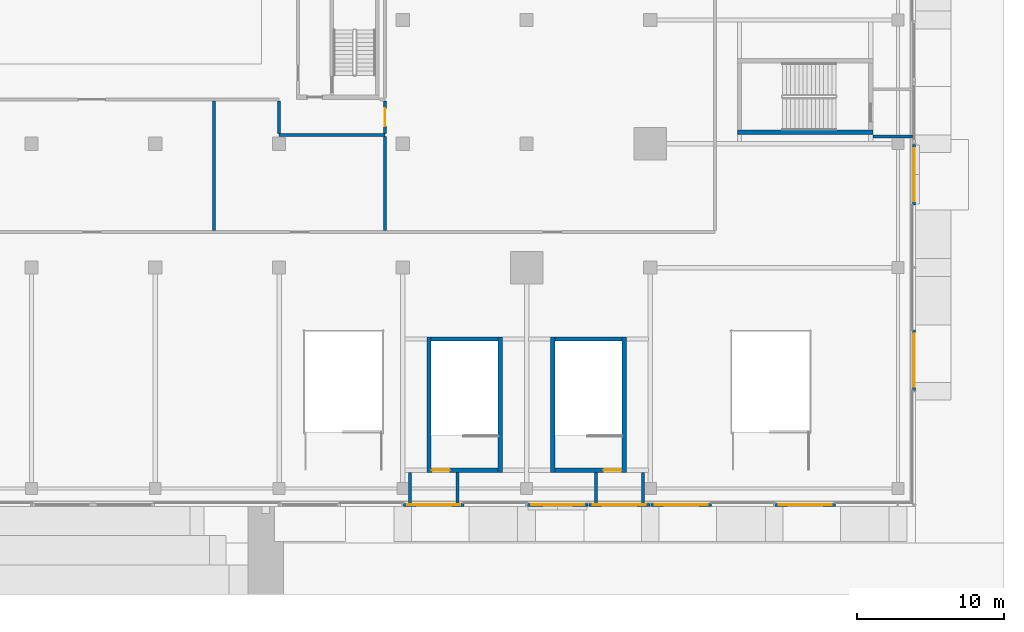
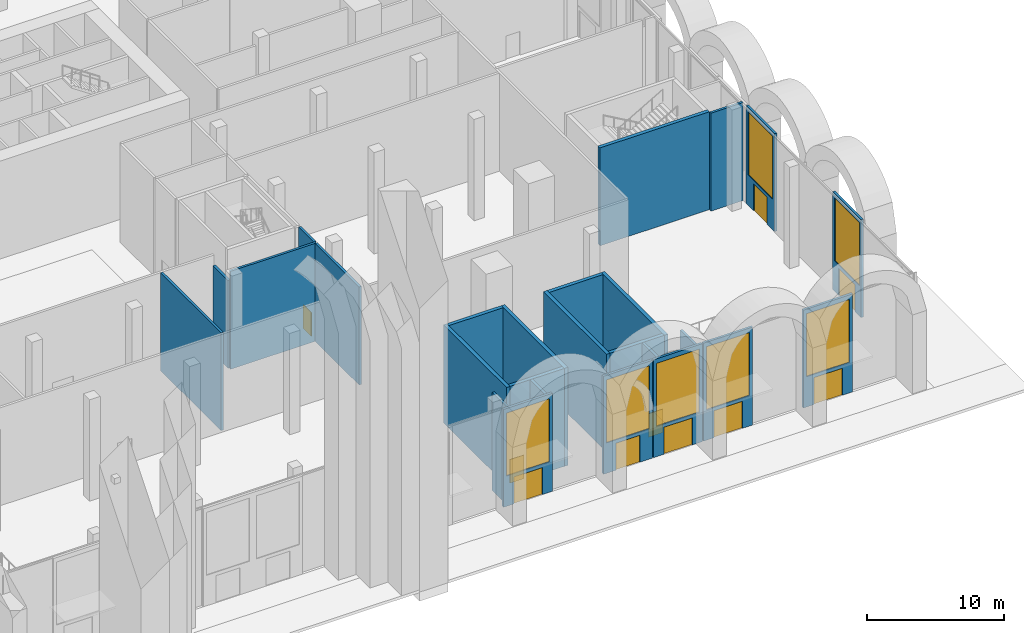
# One storey, part 24 of 43: 26 walls, 10 doors, 7 windows, 17 openings.
"""IFC4 building model written with IfcOpenShell, lengths in metres."""

from ifc_helpers import new_model, si_unit, direction, frame, frame_2d, origin, place, context, subcontext, project, spatial, rectangle, extrude, material, layer, layer_set, type_object, element, fill, save


model = new_model("IFC4")

# Units and contexts
model_context = context("Model", 3, precision=1e-05, world=origin(), true_north=direction((0.0, 1.0)))
body_context = subcontext(model_context, "Body", "Model", "MODEL_VIEW")
ifc_project = project(units=[si_unit("LENGTHUNIT", "METRE"), si_unit("AREAUNIT", "SQUARE_METRE"), si_unit("VOLUMEUNIT", "CUBIC_METRE"), si_unit("PLANEANGLEUNIT", "RADIAN"), si_unit("MASSUNIT", "GRAM", prefix="KILO")], contexts=[model_context])

# Site, building, storey
site_placement = place(None, origin())
site = spatial("IfcSite", under=ifc_project, at=site_placement, CompositionType="ELEMENT")
building_placement = place(site_placement, origin())
building = spatial("IfcBuilding", under=site, at=building_placement, Name="Saffron Gate Tower", CompositionType="ELEMENT")
storey_placement = place(building_placement, origin())
storey = spatial("IfcBuildingStorey", under=building, at=storey_placement, Name="L00", CompositionType="ELEMENT", Elevation=0.0)

# Walls
ifc_material_1 = material(Name="Gypsum board partition on steel studs", Category="steel")
ifc_layer_1 = layer(ifc_material_1, 0.199951171875)
ifc_layer_set_1 = layer_set([ifc_layer_1], Name="CW10 Core partition 200")
wall_type_1 = type_object("IfcWallType", Name="CW10 Core partition 200", PredefinedType="PARTITIONING", material=ifc_layer_set_1)
wall_1_placement = place(storey_placement, frame((140.5, 40.699951171875, 0.0), z_axis=(0.0, 0.0, 1.0), x_axis=(1.0, 0.0, 0.0)))
element("IfcWall", 1, at=wall_1_placement, inside=storey, type_object=wall_type_1, Name="Wall CW10-L00-XS-KA", PredefinedType="PARTITIONING", context=body_context, shape_type="SweptSolid", body=[
    extrude(rectangle(XDim=2.699951171875, YDim=0.199951171875, at=frame_2d((1.35009765625, 0.0))), origin(), (0.0, 0.0, 1.0), 8.699951171875),
])
for number, where, z_axis, x_axis, name in (
    (2, (121.699951171875, 15.800048828125, 0.0), (0.0, 0.0, 1.0), (0.0, 1.0, 0.0), "Wall CW10-L00-XS-MA"),
    (3, (124.89990234375, 15.800048828125, 0.0), (0.0, 0.0, 1.0), (0.0, 1.0, 0.0), "Wall CW10-L00-XS-MB"),
    (4, (109.10009765625, 15.800048828125, 0.0), (0.0, 0.0, 1.0), (0.0, 1.0, 0.0), "Wall CW10-L00-XS-NA"),
    (5, (112.300048828125, 15.800048828125, 0.0), (0.0, 0.0, 1.0), (0.0, 1.0, 0.0), "Wall CW10-L00-XS-NB"),
):
    element("IfcWall", number, at=place(storey_placement, frame(where, z_axis=z_axis, x_axis=x_axis)), inside=storey, type_object=wall_type_1, Name=name, PredefinedType="PARTITIONING", context=body_context, shape_type="SweptSolid", body=[
        extrude(rectangle(XDim=2.099853515625, YDim=0.199951171875, at=frame_2d((1.0498046875, 0.0))), origin(), (0.0, 0.0, 1.0), 8.699951171875),
    ])
ifc_material_2 = material(Name="Concrete C70", Category="concrete")
ifc_layer_2 = layer(ifc_material_2, 0.300048828125)
ifc_layer_set_2 = layer_set([ifc_layer_2], Name="CW5 RC core wall 300 C70")
wall_type_2 = type_object("IfcWallType", Name="CW5 RC core wall 300 C70", PredefinedType="SOLIDWALL", material=ifc_layer_set_2)
wall_2_placement = place(storey_placement, frame((131.300048828125, 40.97509765625, 0.0), z_axis=(0.0, 0.0, 1.0), x_axis=(1.0, 0.0, 0.0)))
element("IfcWall", 6, at=wall_2_placement, inside=storey, type_object=wall_type_2, Name="Wall CW5-L00-K-1", PredefinedType="SOLIDWALL", context=body_context, shape_type="SweptSolid", body=[
    extrude(rectangle(XDim=9.199951171875, YDim=0.300048828125, at=frame_2d((4.60009765625, 0.0))), origin(), (0.0, 0.0, 1.0), 8.699951171875),
])
wall_3_placement = place(storey_placement, frame((118.77490234375, 17.89990234375, 0.0), z_axis=(0.0, 0.0, 1.0), x_axis=(0.0, 1.0, 0.0)))
element("IfcWall", 7, at=wall_3_placement, inside=storey, type_object=wall_type_2, Name="Wall CW5-L00-M-1", PredefinedType="SOLIDWALL", context=body_context, shape_type="SweptSolid", body=[
    extrude(rectangle(XDim=9.2001953125, YDim=0.300048828125, at=frame_2d((4.60009765625, 0.0))), origin(), (0.0, 0.0, 1.0), 8.699951171875),
])

# Wall, opening, door
wall_4_placement = place(storey_placement, frame((118.925048828125, 18.050048828125, 0.0), z_axis=(0.0, 0.0, 1.0), x_axis=(1.0, 0.0, 0.0)))
wall_4 = element("IfcWall", 8, at=wall_4_placement, inside=storey, type_object=wall_type_2, Name="Wall CW5-L00-M-2", PredefinedType="SOLIDWALL", context=body_context, shape_type="SweptSolid", body=[
    extrude(rectangle(XDim=4.550048828125, YDim=0.300048828125, at=frame_2d((2.27490234375, 0.0))), origin(), (0.0, 0.0, 1.0), 8.699951171875),
])
opening_1_placement = place(wall_4_placement, frame((3.300048828125, 0.0, 0.0)))
opening_1 = element("IfcOpeningElement", 9, at=opening_1_placement, cuts=wall_4, Name="Opening CR-45", PredefinedType="OPENING", context=body_context, shape_type="SweptSolid", body=[
    extrude(rectangle(XDim=1.199951171875, YDim=2.10009765625, at=frame_2d((0.60009765625, 1.050048828125))), frame((0.0, 0.16015625, 0.0), z_axis=(0.0, -1.0, 0.0), x_axis=(1.0, 0.0, 0.0)), (0.0, 0.0, 1.0), 0.320068359375),
])
ifc_material_3 = material(Name="Steel fire door set", Category="steel")
door_type_1 = type_object("IfcDoorType", Name="CD12 Stair door 1200x2100 EI 120", OperationType="NOTDEFINED", PredefinedType="DOOR", material=ifc_material_3)
door_1_placement = place(opening_1_placement, origin())
door_1 = element("IfcDoor", 10, at=door_1_placement, inside=storey, type_object=door_type_1, Name="DOOR CR-45", OperationType="SINGLE_SWING_RIGHT", OverallHeight=2.10009765625, OverallWidth=1.199951171875, PredefinedType="DOOR", context=body_context, shape_type="SweptSolid", body=[
    extrude(rectangle(XDim=1.199951171875, YDim=2.10009765625, at=frame_2d((0.60009765625, 1.050048828125))), frame((0.0, 0.02490234375, 0.0), z_axis=(0.0, -1.0, 0.0), x_axis=(1.0, 0.0, 0.0)), (0.0, 0.0, 1.0), 0.050048828125),
])
fill(opening_1, door_1)

# Walls
wall_5_placement = place(storey_placement, frame((123.625, 17.89990234375, 0.0), z_axis=(0.0, 0.0, 1.0), x_axis=(0.0, 1.0, 0.0)))
element("IfcWall", 11, at=wall_5_placement, inside=storey, type_object=wall_type_2, Name="Wall CW5-L00-M-3", PredefinedType="SOLIDWALL", context=body_context, shape_type="SweptSolid", body=[
    extrude(rectangle(XDim=9.2001953125, YDim=0.300048828125, at=frame_2d((4.60009765625, 0.0))), origin(), (0.0, 0.0, 1.0), 8.699951171875),
])
wall_6_placement = place(storey_placement, frame((118.925048828125, 26.949951171875, 0.0), z_axis=(0.0, 0.0, 1.0), x_axis=(1.0, 0.0, 0.0)))
element("IfcWall", 12, at=wall_6_placement, inside=storey, type_object=wall_type_2, Name="Wall CW5-L00-M-4", PredefinedType="SOLIDWALL", context=body_context, shape_type="SweptSolid", body=[
    extrude(rectangle(XDim=4.550048828125, YDim=0.300048828125, at=frame_2d((2.27490234375, 0.0))), origin(), (0.0, 0.0, 1.0), 8.699951171875),
])
wall_7_placement = place(storey_placement, frame((110.375, 17.89990234375, 0.0), z_axis=(0.0, 0.0, 1.0), x_axis=(0.0, 1.0, 0.0)))
element("IfcWall", 13, at=wall_7_placement, inside=storey, type_object=wall_type_2, Name="Wall CW5-L00-N-1", PredefinedType="SOLIDWALL", context=body_context, shape_type="SweptSolid", body=[
    extrude(rectangle(XDim=9.2001953125, YDim=0.300048828125, at=frame_2d((4.60009765625, 0.0))), origin(), (0.0, 0.0, 1.0), 8.699951171875),
])

# Wall, opening, door
wall_8_placement = place(storey_placement, frame((110.52490234375, 18.050048828125, 0.0), z_axis=(0.0, 0.0, 1.0), x_axis=(1.0, 0.0, 0.0)))
wall_8 = element("IfcWall", 14, at=wall_8_placement, inside=storey, type_object=wall_type_2, Name="Wall CW5-L00-N-2", PredefinedType="SOLIDWALL", context=body_context, shape_type="SweptSolid", body=[
    extrude(rectangle(XDim=4.550048828125, YDim=0.300048828125, at=frame_2d((2.27490234375, 0.0))), origin(), (0.0, 0.0, 1.0), 8.699951171875),
])
opening_2_placement = place(wall_8_placement, frame((0.050048828125, 0.0, 0.0)))
opening_2 = element("IfcOpeningElement", 15, at=opening_2_placement, cuts=wall_8, Name="Opening CR-47", PredefinedType="OPENING", context=body_context, shape_type="SweptSolid", body=[
    extrude(rectangle(XDim=1.199951171875, YDim=2.10009765625, at=frame_2d((0.60009765625, 1.050048828125))), frame((0.0, 0.16015625, 0.0), z_axis=(0.0, -1.0, 0.0), x_axis=(1.0, 0.0, 0.0)), (0.0, 0.0, 1.0), 0.320068359375),
])
door_2_placement = place(opening_2_placement, origin())
door_2 = element("IfcDoor", 16, at=door_2_placement, inside=storey, type_object=door_type_1, Name="DOOR CR-47", OperationType="SINGLE_SWING_RIGHT", OverallHeight=2.10009765625, OverallWidth=1.199951171875, PredefinedType="DOOR", context=body_context, shape_type="SweptSolid", body=[
    extrude(rectangle(XDim=1.199951171875, YDim=2.10009765625, at=frame_2d((0.60009765625, 1.050048828125))), frame((0.0, 0.02490234375, 0.0), z_axis=(0.0, -1.0, 0.0), x_axis=(1.0, 0.0, 0.0)), (0.0, 0.0, 1.0), 0.050048828125),
])
fill(opening_2, door_2)

# Walls
wall_9_placement = place(storey_placement, frame((115.22509765625, 17.89990234375, 0.0), z_axis=(0.0, 0.0, 1.0), x_axis=(0.0, 1.0, 0.0)))
element("IfcWall", 17, at=wall_9_placement, inside=storey, type_object=wall_type_2, Name="Wall CW5-L00-N-3", PredefinedType="SOLIDWALL", context=body_context, shape_type="SweptSolid", body=[
    extrude(rectangle(XDim=9.2001953125, YDim=0.300048828125, at=frame_2d((4.60009765625, 0.0))), origin(), (0.0, 0.0, 1.0), 8.699951171875),
])
wall_10_placement = place(storey_placement, frame((110.52490234375, 26.949951171875, 0.0), z_axis=(0.0, 0.0, 1.0), x_axis=(1.0, 0.0, 0.0)))
element("IfcWall", 18, at=wall_10_placement, inside=storey, type_object=wall_type_2, Name="Wall CW5-L00-N-4", PredefinedType="SOLIDWALL", context=body_context, shape_type="SweptSolid", body=[
    extrude(rectangle(XDim=4.550048828125, YDim=0.300048828125, at=frame_2d((2.27490234375, 0.0))), origin(), (0.0, 0.0, 1.0), 8.699951171875),
])
ifc_material_4 = material(Name="Clay brick masonry, rendered", Category="masonry")
ifc_layer_3 = layer(ifc_material_4, 0.199951171875)
ifc_layer_set_3 = layer_set([ifc_layer_3], Name="PW3 Corridor wall 200")
wall_type_3 = type_object("IfcWallType", Name="PW3 Corridor wall 200", PredefinedType="PARTITIONING", material=ifc_layer_set_3)
wall_11_placement = place(storey_placement, frame((100.199951171875, 40.800048828125, 0.0), z_axis=(0.0, 0.0, 1.0), x_axis=(1.0, 0.0, 0.0)))
element("IfcWall", 19, at=wall_11_placement, inside=storey, type_object=wall_type_3, Name="Wall P0-3", PredefinedType="PARTITIONING", context=body_context, shape_type="SweptSolid", body=[
    extrude(rectangle(XDim=7.199951171875, YDim=0.199951171875, at=frame_2d((3.60009765625, 0.0))), origin(), (0.0, 0.0, 1.0), 8.699951171875),
])
wall_12_placement = place(storey_placement, frame((100.199951171875, 43.10009765625, 0.0), z_axis=(0.0, 0.0, 1.0), x_axis=(0.0, -1.0, 0.0)))
element("IfcWall", 20, at=wall_12_placement, inside=storey, type_object=wall_type_3, Name="Wall P0-45", PredefinedType="PARTITIONING", context=body_context, shape_type="SweptSolid", body=[
    extrude(rectangle(XDim=2.2001953125, YDim=0.199951171875, at=frame_2d((1.10009765625, 0.0))), origin(), (0.0, 0.0, 1.0), 7.800048828125),
])

# Wall, opening, door
wall_13_placement = place(storey_placement, frame((107.39990234375, 43.10009765625, 0.0), z_axis=(0.0, 0.0, 1.0), x_axis=(0.0, -1.0, 0.0)))
wall_13 = element("IfcWall", 21, at=wall_13_placement, inside=storey, type_object=wall_type_3, Name="Wall P0-48", PredefinedType="PARTITIONING", context=body_context, shape_type="SweptSolid", body=[
    extrude(rectangle(XDim=2.2001953125, YDim=0.199951171875, at=frame_2d((1.10009765625, 0.0))), origin(), (0.0, 0.0, 1.0), 8.699951171875),
])
opening_3_placement = place(wall_13_placement, frame((0.5, 0.0, 0.0)))
opening_3 = element("IfcOpeningElement", 22, at=opening_3_placement, cuts=wall_13, Name="Opening XL-E", PredefinedType="OPENING", context=body_context, shape_type="SweptSolid", body=[
    extrude(rectangle(XDim=1.199951171875, YDim=2.10009765625, at=frame_2d((0.60009765625, 1.050048828125))), frame((0.0, 0.10986328125, 0.0), z_axis=(0.0, -1.0, 0.0), x_axis=(1.0, 0.0, 0.0)), (0.0, 0.0, 1.0), 0.219970703125),
])
door_type_2 = type_object("IfcDoorType", Name="CD3 Lobby door 1200x2100 EI 120", OperationType="NOTDEFINED", PredefinedType="DOOR", material=ifc_material_3)
door_3_placement = place(opening_3_placement, origin())
door_3 = element("IfcDoor", 23, at=door_3_placement, inside=storey, type_object=door_type_2, Name="DOOR XL-E", OperationType="SINGLE_SWING_RIGHT", OverallHeight=2.10009765625, OverallWidth=1.199951171875, PredefinedType="DOOR", context=body_context, shape_type="SweptSolid", body=[
    extrude(rectangle(XDim=1.199951171875, YDim=2.10009765625, at=frame_2d((0.60009765625, 1.050048828125))), frame((0.0, 0.02490234375, 0.0), z_axis=(0.0, -1.0, 0.0), x_axis=(1.0, 0.0, 0.0)), (0.0, 0.0, 1.0), 0.050048828125),
])
fill(opening_3, door_3)

# Walls
ifc_layer_4 = layer(ifc_material_4, 0.199951171875)
ifc_layer_set_4 = layer_set([ifc_layer_4], Name="PW5 Room wall 200")
wall_type_4 = type_object("IfcWallType", Name="PW5 Room wall 200", PredefinedType="PARTITIONING", material=ifc_layer_set_4)
wall_14_placement = place(storey_placement, frame((95.800048828125, 43.10009765625, 0.0), z_axis=(0.0, 0.0, 1.0), x_axis=(0.0, -1.0, 0.0)))
element("IfcWall", 24, at=wall_14_placement, inside=storey, type_object=wall_type_4, Name="Wall P0-44", PredefinedType="PARTITIONING", context=body_context, shape_type="SweptSolid", body=[
    extrude(rectangle(XDim=8.800048828125, YDim=0.199951171875, at=frame_2d((4.39990234375, 0.0))), origin(), (0.0, 0.0, 1.0), 8.699951171875),
])
wall_15_placement = place(storey_placement, frame((107.39990234375, 40.699951171875, 0.0), z_axis=(0.0, 0.0, 1.0), x_axis=(0.0, -1.0, 0.0)))
element("IfcWall", 25, at=wall_15_placement, inside=storey, type_object=wall_type_4, Name="Wall P0-51", PredefinedType="PARTITIONING", context=body_context, shape_type="SweptSolid", body=[
    extrude(rectangle(XDim=6.39990234375, YDim=0.199951171875, at=frame_2d((3.199951171875, 0.0))), origin(), (0.0, 0.0, 1.0), 8.699951171875),
])

# Wall, openings, door, window
ifc_material_5 = material(Name="Reinforced concrete C40/50 clad in bronze panels", Category="concrete")
ifc_layer_5 = layer(ifc_material_5, 0.199951171875)
ifc_layer_set_5 = layer_set([ifc_layer_5], Name="WBAY1 entrance bay wall")
wall_type_5 = type_object("IfcWallType", Name="WBAY1 entrance bay wall", PredefinedType="SOLIDWALL", material=ifc_layer_set_5)
wall_16_placement = place(storey_placement, frame((121.159912109375, 15.699951171875, 0.0), z_axis=(0.0, 0.0, 1.0), x_axis=(-1.0, 0.0, 0.0)))
wall_16 = element("IfcWall", 26, at=wall_16_placement, inside=storey, type_object=wall_type_5, Name="ENTRANCE BAY wall", PredefinedType="SOLIDWALL", context=body_context, shape_type="SweptSolid", body=[
    extrude(rectangle(XDim=4.119873046875, YDim=0.199951171875, at=frame_2d((2.06005859375, 0.0))), origin(), (0.0, 0.0, 1.0), 8.699951171875),
])
opening_4_placement = place(wall_16_placement, frame((1.06005859375, 0.0, 0.0)))
opening_4 = element("IfcOpeningElement", 27, at=opening_4_placement, cuts=wall_16, Name="Opening E03", PredefinedType="OPENING", context=body_context, shape_type="SweptSolid", body=[
    extrude(rectangle(XDim=2.0, YDim=2.39990234375, at=frame_2d((1.0, 1.199951171875))), frame((0.0, 0.10986328125, 0.0), z_axis=(0.0, -1.0, 0.0), x_axis=(1.0, 0.0, 0.0)), (0.0, 0.0, 1.0), 0.219970703125),
])
opening_5_placement = place(wall_16_placement, frame((0.260009765625, 0.0, 2.699951171875)))
opening_5 = element("IfcOpeningElement", 28, at=opening_5_placement, cuts=wall_16, Name="Opening W9", PredefinedType="OPENING", context=body_context, shape_type="SweptSolid", body=[
    extrude(rectangle(XDim=3.60009765625, YDim=5.60009765625, at=frame_2d((1.800048828125, 2.800048828125))), frame((0.0, 0.10986328125, 0.0), z_axis=(0.0, -1.0, 0.0), x_axis=(1.0, 0.0, 0.0)), (0.0, 0.0, 1.0), 0.219970703125),
])
ifc_material_6 = material(Name="Bronze-framed toughened glass", Category="glass")
ifc_layer_6 = layer(ifc_material_6, 0.050048828125)
ifc_layer_set_6 = layer_set([ifc_layer_6], Name="D1 external double door 2000x2400")
door_type_3 = type_object("IfcDoorType", Name="D1 external double door 2000x2400", OperationType="DOUBLE_DOOR_SINGLE_SWING", PredefinedType="DOOR", material=ifc_layer_set_6)
door_4_placement = place(opening_4_placement, origin())
door_4 = element("IfcDoor", 29, at=door_4_placement, inside=storey, type_object=door_type_3, Name="DOOR E03", OperationType="DOUBLE_DOOR_SINGLE_SWING", OverallHeight=2.39990234375, OverallWidth=2.0, PredefinedType="DOOR", context=body_context, shape_type="SweptSolid", body=[
    extrude(rectangle(XDim=2.0, YDim=2.39990234375, at=frame_2d((1.0, 1.199951171875))), frame((0.0, 0.02490234375, 0.0), z_axis=(0.0, -1.0, 0.0), x_axis=(1.0, 0.0, 0.0)), (0.0, 0.0, 1.0), 0.050048828125),
])
fill(opening_4, door_4)
ifc_material_7 = material(Name="Clear low-iron laminated glass in bronze frame", Category="glass")
ifc_layer_7 = layer(ifc_material_7, 0.06005859375)
ifc_layer_set_7 = layer_set([ifc_layer_7], Name="W9 entrance light")
window_type = type_object("IfcWindowType", Name="W9 entrance light", PartitioningType="SINGLE_PANEL", PredefinedType="WINDOW", material=ifc_layer_set_7)
window_1_placement = place(opening_5_placement, origin())
window_1 = element("IfcWindow", 30, at=window_1_placement, inside=storey, type_object=window_type, Name="W9 entrance light", OverallHeight=5.60009765625, OverallWidth=3.60009765625, PartitioningType="SINGLE_PANEL", PredefinedType="WINDOW", context=body_context, shape_type="SweptSolid", body=[
    extrude(rectangle(XDim=3.60009765625, YDim=5.60009765625, at=frame_2d((1.800048828125, 2.800048828125))), frame((0.0, 0.030029296875, 0.0), z_axis=(0.0, -1.0, 0.0), x_axis=(1.0, 0.0, 0.0)), (0.0, 0.0, 1.0), 0.06005859375),
])
fill(opening_5, window_1)

# Wall, openings, window, door
wall_17_placement = place(storey_placement, frame((137.9599609375, 15.699951171875, 0.0), z_axis=(0.0, 0.0, 1.0), x_axis=(-1.0, 0.0, 0.0)))
wall_17 = element("IfcWall", 31, at=wall_17_placement, inside=storey, type_object=wall_type_5, Name="ENTRANCE BAY wall", PredefinedType="SOLIDWALL", context=body_context, shape_type="SweptSolid", body=[
    extrude(rectangle(XDim=4.119873046875, YDim=0.199951171875, at=frame_2d((2.06005859375, 0.0))), origin(), (0.0, 0.0, 1.0), 8.699951171875),
])
opening_6_placement = place(wall_17_placement, frame((0.860107421875, 0.0, 0.0)))
opening_6 = element("IfcOpeningElement", 32, at=opening_6_placement, cuts=wall_17, Name="Opening E12", PredefinedType="OPENING", context=body_context, shape_type="SweptSolid", body=[
    extrude(rectangle(XDim=2.39990234375, YDim=2.39990234375, at=frame_2d((1.199951171875, 1.199951171875))), frame((0.0, 0.10986328125, 0.0), z_axis=(0.0, -1.0, 0.0), x_axis=(1.0, 0.0, 0.0)), (0.0, 0.0, 1.0), 0.219970703125),
])
opening_7_placement = place(wall_17_placement, frame((0.260009765625, 0.0, 2.699951171875)))
opening_7 = element("IfcOpeningElement", 33, at=opening_7_placement, cuts=wall_17, Name="Opening W9", PredefinedType="OPENING", context=body_context, shape_type="SweptSolid", body=[
    extrude(rectangle(XDim=3.60009765625, YDim=5.60009765625, at=frame_2d((1.800048828125, 2.800048828125))), frame((0.0, 0.10986328125, 0.0), z_axis=(0.0, -1.0, 0.0), x_axis=(1.0, 0.0, 0.0)), (0.0, 0.0, 1.0), 0.219970703125),
])
window_2_placement = place(opening_7_placement, origin())
window_2 = element("IfcWindow", 34, at=window_2_placement, inside=storey, type_object=window_type, Name="W9 entrance light", OverallHeight=5.60009765625, OverallWidth=3.60009765625, PartitioningType="SINGLE_PANEL", PredefinedType="WINDOW", context=body_context, shape_type="SweptSolid", body=[
    extrude(rectangle(XDim=3.60009765625, YDim=5.60009765625, at=frame_2d((1.800048828125, 2.800048828125))), frame((0.0, 0.030029296875, 0.0), z_axis=(0.0, -1.0, 0.0), x_axis=(1.0, 0.0, 0.0)), (0.0, 0.0, 1.0), 0.06005859375),
])
fill(opening_7, window_2)
ifc_layer_8 = layer(ifc_material_6, 0.050048828125)
ifc_layer_set_8 = layer_set([ifc_layer_8], Name="X1 exit double door 2400x2400")
door_type_4 = type_object("IfcDoorType", Name="X1 exit double door 2400x2400", OperationType="DOUBLE_DOOR_SINGLE_SWING", PredefinedType="DOOR", material=ifc_layer_set_8)
door_5_placement = place(opening_6_placement, origin())
door_5 = element("IfcDoor", 35, at=door_5_placement, inside=storey, type_object=door_type_4, Name="EXIT E12", OperationType="DOUBLE_DOOR_SINGLE_SWING", OverallHeight=2.39990234375, OverallWidth=2.39990234375, PredefinedType="DOOR", context=body_context, shape_type="SweptSolid", body=[
    extrude(rectangle(XDim=2.39990234375, YDim=2.39990234375, at=frame_2d((1.199951171875, 1.199951171875))), frame((0.0, 0.02490234375, 0.0), z_axis=(0.0, -1.0, 0.0), x_axis=(1.0, 0.0, 0.0)), (0.0, 0.0, 1.0), 0.050048828125),
])
fill(opening_6, door_5)

wall_18_placement = place(storey_placement, frame((129.56005859375, 15.699951171875, 0.0), z_axis=(0.0, 0.0, 1.0), x_axis=(-1.0, 0.0, 0.0)))
wall_18 = element("IfcWall", 36, at=wall_18_placement, inside=storey, type_object=wall_type_5, Name="ENTRANCE BAY wall", PredefinedType="SOLIDWALL", context=body_context, shape_type="SweptSolid", body=[
    extrude(rectangle(XDim=4.1201171875, YDim=0.199951171875, at=frame_2d((2.06005859375, 0.0))), origin(), (0.0, 0.0, 1.0), 8.699951171875),
])
opening_8_placement = place(wall_18_placement, frame((0.860107421875, 0.0, 0.0)))
opening_8 = element("IfcOpeningElement", 37, at=opening_8_placement, cuts=wall_18, Name="Opening E28", PredefinedType="OPENING", context=body_context, shape_type="SweptSolid", body=[
    extrude(rectangle(XDim=2.39990234375, YDim=2.39990234375, at=frame_2d((1.199951171875, 1.199951171875))), frame((0.0, 0.10986328125, 0.0), z_axis=(0.0, -1.0, 0.0), x_axis=(1.0, 0.0, 0.0)), (0.0, 0.0, 1.0), 0.219970703125),
])
opening_9_placement = place(wall_18_placement, frame((0.260009765625, 0.0, 2.699951171875)))
opening_9 = element("IfcOpeningElement", 38, at=opening_9_placement, cuts=wall_18, Name="Opening W9", PredefinedType="OPENING", context=body_context, shape_type="SweptSolid", body=[
    extrude(rectangle(XDim=3.60009765625, YDim=5.60009765625, at=frame_2d((1.800048828125, 2.800048828125))), frame((0.0, 0.10986328125, 0.0), z_axis=(0.0, -1.0, 0.0), x_axis=(1.0, 0.0, 0.0)), (0.0, 0.0, 1.0), 0.219970703125),
])
window_3_placement = place(opening_9_placement, origin())
window_3 = element("IfcWindow", 39, at=window_3_placement, inside=storey, type_object=window_type, Name="W9 entrance light", OverallHeight=5.60009765625, OverallWidth=3.60009765625, PartitioningType="SINGLE_PANEL", PredefinedType="WINDOW", context=body_context, shape_type="SweptSolid", body=[
    extrude(rectangle(XDim=3.60009765625, YDim=5.60009765625, at=frame_2d((1.800048828125, 2.800048828125))), frame((0.0, 0.030029296875, 0.0), z_axis=(0.0, -1.0, 0.0), x_axis=(1.0, 0.0, 0.0)), (0.0, 0.0, 1.0), 0.06005859375),
])
fill(opening_9, window_3)
door_6_placement = place(opening_8_placement, origin())
door_6 = element("IfcDoor", 40, at=door_6_placement, inside=storey, type_object=door_type_4, Name="EXIT E28", OperationType="DOUBLE_DOOR_SINGLE_SWING", OverallHeight=2.39990234375, OverallWidth=2.39990234375, PredefinedType="DOOR", context=body_context, shape_type="SweptSolid", body=[
    extrude(rectangle(XDim=2.39990234375, YDim=2.39990234375, at=frame_2d((1.199951171875, 1.199951171875))), frame((0.0, 0.02490234375, 0.0), z_axis=(0.0, -1.0, 0.0), x_axis=(1.0, 0.0, 0.0)), (0.0, 0.0, 1.0), 0.050048828125),
])
fill(opening_8, door_6)

wall_19_placement = place(storey_placement, frame((125.360107421875, 15.699951171875, 0.0), z_axis=(0.0, 0.0, 1.0), x_axis=(-1.0, 0.0, 0.0)))
wall_19 = element("IfcWall", 41, at=wall_19_placement, inside=storey, type_object=wall_type_5, Name="ENTRANCE BAY wall", PredefinedType="SOLIDWALL", context=body_context, shape_type="SweptSolid", body=[
    extrude(rectangle(XDim=4.1201171875, YDim=0.199951171875, at=frame_2d((2.06005859375, 0.0))), origin(), (0.0, 0.0, 1.0), 8.699951171875),
])
opening_10_placement = place(wall_19_placement, frame((0.860107421875, 0.0, 0.0)))
opening_10 = element("IfcOpeningElement", 42, at=opening_10_placement, cuts=wall_19, Name="Opening E36", PredefinedType="OPENING", context=body_context, shape_type="SweptSolid", body=[
    extrude(rectangle(XDim=2.39990234375, YDim=2.39990234375, at=frame_2d((1.199951171875, 1.199951171875))), frame((0.0, 0.10986328125, 0.0), z_axis=(0.0, -1.0, 0.0), x_axis=(1.0, 0.0, 0.0)), (0.0, 0.0, 1.0), 0.219970703125),
])
opening_11_placement = place(wall_19_placement, frame((0.260009765625, 0.0, 2.699951171875)))
opening_11 = element("IfcOpeningElement", 43, at=opening_11_placement, cuts=wall_19, Name="Opening W9", PredefinedType="OPENING", context=body_context, shape_type="SweptSolid", body=[
    extrude(rectangle(XDim=3.60009765625, YDim=5.60009765625, at=frame_2d((1.800048828125, 2.800048828125))), frame((0.0, 0.10986328125, 0.0), z_axis=(0.0, -1.0, 0.0), x_axis=(1.0, 0.0, 0.0)), (0.0, 0.0, 1.0), 0.219970703125),
])
window_4_placement = place(opening_11_placement, origin())
window_4 = element("IfcWindow", 44, at=window_4_placement, inside=storey, type_object=window_type, Name="W9 entrance light", OverallHeight=5.60009765625, OverallWidth=3.60009765625, PartitioningType="SINGLE_PANEL", PredefinedType="WINDOW", context=body_context, shape_type="SweptSolid", body=[
    extrude(rectangle(XDim=3.60009765625, YDim=5.60009765625, at=frame_2d((1.800048828125, 2.800048828125))), frame((0.0, 0.030029296875, 0.0), z_axis=(0.0, -1.0, 0.0), x_axis=(1.0, 0.0, 0.0)), (0.0, 0.0, 1.0), 0.06005859375),
])
fill(opening_11, window_4)
door_7_placement = place(opening_10_placement, origin())
door_7 = element("IfcDoor", 45, at=door_7_placement, inside=storey, type_object=door_type_4, Name="EXIT E36", OperationType="DOUBLE_DOOR_SINGLE_SWING", OverallHeight=2.39990234375, OverallWidth=2.39990234375, PredefinedType="DOOR", context=body_context, shape_type="SweptSolid", body=[
    extrude(rectangle(XDim=2.39990234375, YDim=2.39990234375, at=frame_2d((1.199951171875, 1.199951171875))), frame((0.0, 0.02490234375, 0.0), z_axis=(0.0, -1.0, 0.0), x_axis=(1.0, 0.0, 0.0)), (0.0, 0.0, 1.0), 0.050048828125),
])
fill(opening_10, door_7)

wall_20_placement = place(storey_placement, frame((112.760009765625, 15.699951171875, 0.0), z_axis=(0.0, 0.0, 1.0), x_axis=(-1.0, 0.0, 0.0)))
wall_20 = element("IfcWall", 46, at=wall_20_placement, inside=storey, type_object=wall_type_5, Name="ENTRANCE BAY wall", PredefinedType="SOLIDWALL", context=body_context, shape_type="SweptSolid", body=[
    extrude(rectangle(XDim=4.1201171875, YDim=0.199951171875, at=frame_2d((2.06005859375, 0.0))), origin(), (0.0, 0.0, 1.0), 8.699951171875),
])
opening_12_placement = place(wall_20_placement, frame((0.860107421875, 0.0, 0.0)))
opening_12 = element("IfcOpeningElement", 47, at=opening_12_placement, cuts=wall_20, Name="Opening E37", PredefinedType="OPENING", context=body_context, shape_type="SweptSolid", body=[
    extrude(rectangle(XDim=2.39990234375, YDim=2.39990234375, at=frame_2d((1.199951171875, 1.199951171875))), frame((0.0, 0.10986328125, 0.0), z_axis=(0.0, -1.0, 0.0), x_axis=(1.0, 0.0, 0.0)), (0.0, 0.0, 1.0), 0.219970703125),
])
opening_13_placement = place(wall_20_placement, frame((0.260009765625, 0.0, 2.699951171875)))
opening_13 = element("IfcOpeningElement", 48, at=opening_13_placement, cuts=wall_20, Name="Opening W9", PredefinedType="OPENING", context=body_context, shape_type="SweptSolid", body=[
    extrude(rectangle(XDim=3.60009765625, YDim=5.60009765625, at=frame_2d((1.800048828125, 2.800048828125))), frame((0.0, 0.10986328125, 0.0), z_axis=(0.0, -1.0, 0.0), x_axis=(1.0, 0.0, 0.0)), (0.0, 0.0, 1.0), 0.219970703125),
])
window_5_placement = place(opening_13_placement, origin())
window_5 = element("IfcWindow", 49, at=window_5_placement, inside=storey, type_object=window_type, Name="W9 entrance light", OverallHeight=5.60009765625, OverallWidth=3.60009765625, PartitioningType="SINGLE_PANEL", PredefinedType="WINDOW", context=body_context, shape_type="SweptSolid", body=[
    extrude(rectangle(XDim=3.60009765625, YDim=5.60009765625, at=frame_2d((1.800048828125, 2.800048828125))), frame((0.0, 0.030029296875, 0.0), z_axis=(0.0, -1.0, 0.0), x_axis=(1.0, 0.0, 0.0)), (0.0, 0.0, 1.0), 0.06005859375),
])
fill(opening_13, window_5)
door_8_placement = place(opening_12_placement, origin())
door_8 = element("IfcDoor", 50, at=door_8_placement, inside=storey, type_object=door_type_4, Name="EXIT E37", OperationType="DOUBLE_DOOR_SINGLE_SWING", OverallHeight=2.39990234375, OverallWidth=2.39990234375, PredefinedType="DOOR", context=body_context, shape_type="SweptSolid", body=[
    extrude(rectangle(XDim=2.39990234375, YDim=2.39990234375, at=frame_2d((1.199951171875, 1.199951171875))), frame((0.0, 0.02490234375, 0.0), z_axis=(0.0, -1.0, 0.0), x_axis=(1.0, 0.0, 0.0)), (0.0, 0.0, 1.0), 0.050048828125),
])
fill(opening_12, door_8)

# Wall, openings, door, window
wall_21_placement = place(storey_placement, frame((143.300048828125, 40.159912109375, 0.0), z_axis=(0.0, 0.0, 1.0), x_axis=(0.0, -1.0, 0.0)))
wall_21 = element("IfcWall", 51, at=wall_21_placement, inside=storey, type_object=wall_type_5, Name="ENTRANCE BAY wall", PredefinedType="SOLIDWALL", context=body_context, shape_type="SweptSolid", body=[
    extrude(rectangle(XDim=4.119873046875, YDim=0.199951171875, at=frame_2d((2.06005859375, 0.0))), origin(), (0.0, 0.0, 1.0), 8.699951171875),
])
opening_14_placement = place(wall_21_placement, frame((1.06005859375, 0.0, 0.0)))
opening_14 = element("IfcOpeningElement", 52, at=opening_14_placement, cuts=wall_21, Name="Opening E06", PredefinedType="OPENING", context=body_context, shape_type="SweptSolid", body=[
    extrude(rectangle(XDim=2.0, YDim=2.39990234375, at=frame_2d((1.0, 1.199951171875))), frame((0.0, 0.10986328125, 0.0), z_axis=(0.0, -1.0, 0.0), x_axis=(1.0, 0.0, 0.0)), (0.0, 0.0, 1.0), 0.219970703125),
])
opening_15_placement = place(wall_21_placement, frame((0.260009765625, 0.0, 2.699951171875)))
opening_15 = element("IfcOpeningElement", 53, at=opening_15_placement, cuts=wall_21, Name="Opening W9", PredefinedType="OPENING", context=body_context, shape_type="SweptSolid", body=[
    extrude(rectangle(XDim=3.60009765625, YDim=5.60009765625, at=frame_2d((1.800048828125, 2.800048828125))), frame((0.0, 0.10986328125, 0.0), z_axis=(0.0, -1.0, 0.0), x_axis=(1.0, 0.0, 0.0)), (0.0, 0.0, 1.0), 0.219970703125),
])
ifc_material_8 = material(Name="Bronze lattice gate, anodised aluminium", Category="aluminium")
ifc_layer_9 = layer(ifc_material_8, 0.050048828125)
ifc_layer_set_9 = layer_set([ifc_layer_9], Name="G1 entrance gate 2000x2400")
door_type_5 = type_object("IfcDoorType", Name="G1 entrance gate 2000x2400", OperationType="DOUBLE_DOOR_SINGLE_SWING", PredefinedType="GATE", material=ifc_layer_set_9)
door_9_placement = place(opening_14_placement, origin())
door_9 = element("IfcDoor", 54, at=door_9_placement, inside=storey, type_object=door_type_5, Name="GATE E06", OperationType="DOUBLE_DOOR_SINGLE_SWING", OverallHeight=2.39990234375, OverallWidth=2.0, PredefinedType="GATE", context=body_context, shape_type="SweptSolid", body=[
    extrude(rectangle(XDim=2.0, YDim=2.39990234375, at=frame_2d((1.0, 1.199951171875))), frame((0.0, 0.02490234375, 0.0), z_axis=(0.0, -1.0, 0.0), x_axis=(1.0, 0.0, 0.0)), (0.0, 0.0, 1.0), 0.050048828125),
])
fill(opening_14, door_9)
window_6_placement = place(opening_15_placement, origin())
window_6 = element("IfcWindow", 55, at=window_6_placement, inside=storey, type_object=window_type, Name="W9 entrance light", OverallHeight=5.60009765625, OverallWidth=3.60009765625, PartitioningType="SINGLE_PANEL", PredefinedType="WINDOW", context=body_context, shape_type="SweptSolid", body=[
    extrude(rectangle(XDim=3.60009765625, YDim=5.60009765625, at=frame_2d((1.800048828125, 2.800048828125))), frame((0.0, 0.030029296875, 0.0), z_axis=(0.0, -1.0, 0.0), x_axis=(1.0, 0.0, 0.0)), (0.0, 0.0, 1.0), 0.06005859375),
])
fill(opening_15, window_6)

# Wall, openings, window, door
wall_22_placement = place(storey_placement, frame((143.300048828125, 27.56005859375, 0.0), z_axis=(0.0, 0.0, 1.0), x_axis=(0.0, -1.0, 0.0)))
wall_22 = element("IfcWall", 56, at=wall_22_placement, inside=storey, type_object=wall_type_5, Name="ENTRANCE BAY wall", PredefinedType="SOLIDWALL", context=body_context, shape_type="SweptSolid", body=[
    extrude(rectangle(XDim=4.1201171875, YDim=0.199951171875, at=frame_2d((2.06005859375, 0.0))), origin(), (0.0, 0.0, 1.0), 8.699951171875),
])
opening_16_placement = place(wall_22_placement, frame((0.860107421875, 0.0, 0.0)))
opening_16 = element("IfcOpeningElement", 57, at=opening_16_placement, cuts=wall_22, Name="Opening E16", PredefinedType="OPENING", context=body_context, shape_type="SweptSolid", body=[
    extrude(rectangle(XDim=2.39990234375, YDim=2.39990234375, at=frame_2d((1.199951171875, 1.199951171875))), frame((0.0, 0.10986328125, 0.0), z_axis=(0.0, -1.0, 0.0), x_axis=(1.0, 0.0, 0.0)), (0.0, 0.0, 1.0), 0.219970703125),
])
opening_17_placement = place(wall_22_placement, frame((0.260009765625, 0.0, 2.699951171875)))
opening_17 = element("IfcOpeningElement", 58, at=opening_17_placement, cuts=wall_22, Name="Opening W9", PredefinedType="OPENING", context=body_context, shape_type="SweptSolid", body=[
    extrude(rectangle(XDim=3.60009765625, YDim=5.60009765625, at=frame_2d((1.800048828125, 2.800048828125))), frame((0.0, 0.10986328125, 0.0), z_axis=(0.0, -1.0, 0.0), x_axis=(1.0, 0.0, 0.0)), (0.0, 0.0, 1.0), 0.219970703125),
])
window_7_placement = place(opening_17_placement, origin())
window_7 = element("IfcWindow", 59, at=window_7_placement, inside=storey, type_object=window_type, Name="W9 entrance light", OverallHeight=5.60009765625, OverallWidth=3.60009765625, PartitioningType="SINGLE_PANEL", PredefinedType="WINDOW", context=body_context, shape_type="SweptSolid", body=[
    extrude(rectangle(XDim=3.60009765625, YDim=5.60009765625, at=frame_2d((1.800048828125, 2.800048828125))), frame((0.0, 0.030029296875, 0.0), z_axis=(0.0, -1.0, 0.0), x_axis=(1.0, 0.0, 0.0)), (0.0, 0.0, 1.0), 0.06005859375),
])
fill(opening_17, window_7)
door_10_placement = place(opening_16_placement, origin())
door_10 = element("IfcDoor", 60, at=door_10_placement, inside=storey, type_object=door_type_4, Name="EXIT E16", OperationType="DOUBLE_DOOR_SINGLE_SWING", OverallHeight=2.39990234375, OverallWidth=2.39990234375, PredefinedType="DOOR", context=body_context, shape_type="SweptSolid", body=[
    extrude(rectangle(XDim=2.39990234375, YDim=2.39990234375, at=frame_2d((1.199951171875, 1.199951171875))), frame((0.0, 0.02490234375, 0.0), z_axis=(0.0, -1.0, 0.0), x_axis=(1.0, 0.0, 0.0)), (0.0, 0.0, 1.0), 0.050048828125),
])
fill(opening_16, door_10)

save(model, "model.ifc")
